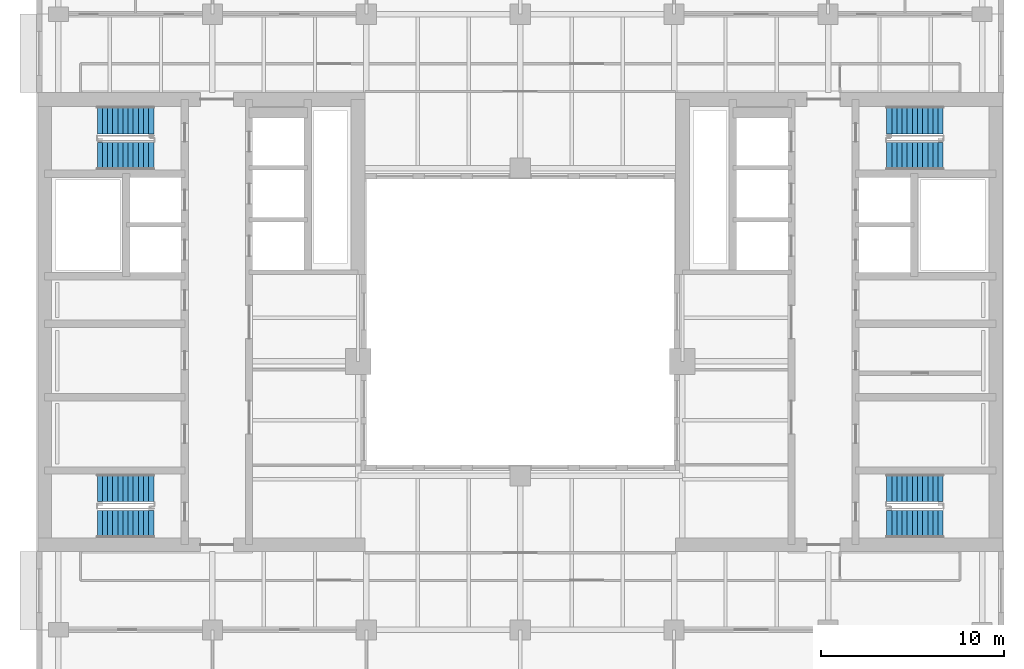
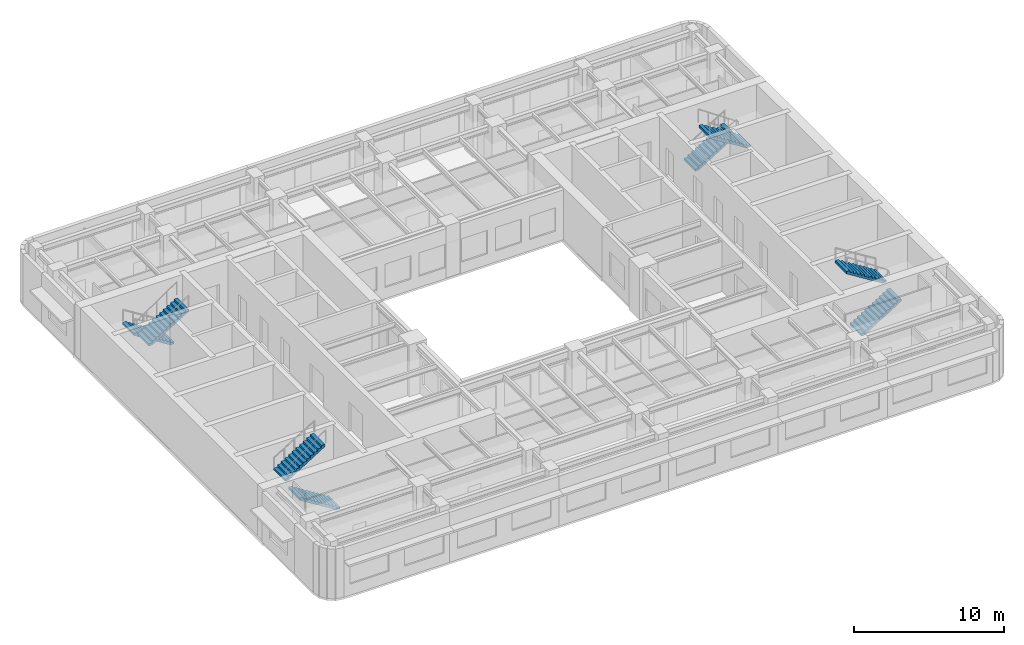
# One storey, part 8 of 11: 8 stair flights, 4 elements without a shape of their own.
"""IFC4 building model written with IfcOpenShell, lengths in metres."""

from ifc_helpers import new_model, si_unit, direction, frame, origin, place, context, subcontext, project, spatial, polyline, outline, extrude, material, type_object, element, aggregate, save


model = new_model("IFC4")

# Units and contexts
model_context = context("Model", 3, precision=1e-05, world=origin(), true_north=direction((0.0, 1.0)))
body_context = subcontext(model_context, "Body", "Model", "MODEL_VIEW")
ifc_project = project(units=[si_unit("LENGTHUNIT", "METRE"), si_unit("AREAUNIT", "SQUARE_METRE"), si_unit("VOLUMEUNIT", "CUBIC_METRE"), si_unit("PLANEANGLEUNIT", "RADIAN"), si_unit("MASSUNIT", "GRAM", prefix="KILO")], contexts=[model_context])

# Site, building, storey
site_placement = place(None, origin())
site = spatial("IfcSite", under=ifc_project, at=site_placement, CompositionType="ELEMENT")
building_placement = place(site_placement, origin())
building = spatial("IfcBuilding", under=site, at=building_placement, Name="Claustro Exchange Tower", CompositionType="ELEMENT")
storey_placement = place(building_placement, frame((0.0, 0.0, 186.0)))
storey = spatial("IfcBuildingStorey", under=building, at=storey_placement, Name="L42", CompositionType="ELEMENT", Elevation=186.0)

# Stair, stair flights
ifc_material_1 = material(Name="Concrete HA-30 (C30/37), precast", Category="concrete")
stair_type = type_object("IfcStairType", Name="ST1 half-turn stair, 24 risers of 175", PredefinedType="HALF_TURN_STAIR", material=ifc_material_1)
stair_1_placement = place(storey_placement, origin())
stair_1 = element("IfcStair", 1, at=stair_1_placement, inside=storey, type_object=stair_type, Name="Stair STWA L42", PredefinedType="HALF_TURN_STAIR")
ifc_material_2 = material(Name="Concrete HA-30 (C30/37), precast", Category="concrete")
stair_flight_type = type_object("IfcStairFlightType", Name="SF12A straight flight, 12 risers of 175, 1500 wide", PredefinedType="STRAIGHT", material=ifc_material_2)
stair_flight_1_placement = place(storey_placement, frame((5.199951171875, 14.175048828125, 0.0), z_axis=(0.0, 0.0, 1.0), x_axis=(-1.0, 0.0, 0.0)))
stair_flight_1 = element("IfcStairFlight", 2, at=stair_flight_1_placement, type_object=stair_flight_type, Name="STWA flight 1", NumberOfRisers=12, NumberOfTreads=11, PredefinedType="STRAIGHT", RiserHeight=0.175, TreadLength=0.28, context=body_context, shape_type="SweptSolid", body=[
    extrude(outline(polyline([(0.0, 0.0), (0.0, 0.175048828125), (0.280029296875, 0.175048828125), (0.280029296875, 0.35009765625), (0.56005859375, 0.35009765625), (0.56005859375, 0.52490234375), (0.840087890625, 0.52490234375), (0.840087890625, 0.699951171875), (1.1201171875, 0.699951171875), (1.1201171875, 0.875), (1.39990234375, 0.875), (1.39990234375, 1.050048828125), (1.679931640625, 1.050048828125), (1.679931640625, 1.22509765625), (1.9599609375, 1.22509765625), (1.9599609375, 1.39990234375), (2.239990234375, 1.39990234375), (2.239990234375, 1.574951171875), (2.52001953125, 1.574951171875), (2.52001953125, 1.75), (2.800048828125, 1.75), (2.800048828125, 1.925048828125), (3.080078125, 1.925048828125), (3.080078125, 2.10009765625), (3.080078125, 1.748291015625), (0.28271484375, 0.0), (0.0, 0.0)])), frame((0.0, 0.75, 0.0), z_axis=(0.0, -1.0, 0.0), x_axis=(1.0, 0.0, 0.0)), (0.0, 0.0, 1.0), 1.5),
])
stair_flight_2_placement = place(storey_placement, frame((2.1201171875, 16.14990234375, 2.10009765625), z_axis=(0.0, 0.0, 1.0), x_axis=(1.0, 0.0, 0.0)))
stair_flight_2 = element("IfcStairFlight", 3, at=stair_flight_2_placement, type_object=stair_flight_type, Name="STWA flight 2", NumberOfRisers=12, NumberOfTreads=11, PredefinedType="STRAIGHT", RiserHeight=0.175, TreadLength=0.28, context=body_context, shape_type="SweptSolid", body=[
    extrude(outline(polyline([(0.0, 0.0), (0.0, 0.175048828125), (0.280029296875, 0.175048828125), (0.280029296875, 0.35009765625), (0.56005859375, 0.35009765625), (0.56005859375, 0.52490234375), (0.840087890625, 0.52490234375), (0.840087890625, 0.699951171875), (1.1201171875, 0.699951171875), (1.1201171875, 0.875), (1.39990234375, 0.875), (1.39990234375, 1.050048828125), (1.679931640625, 1.050048828125), (1.679931640625, 1.22509765625), (1.9599609375, 1.22509765625), (1.9599609375, 1.39990234375), (2.239990234375, 1.39990234375), (2.239990234375, 1.574951171875), (2.52001953125, 1.574951171875), (2.52001953125, 1.75), (2.800048828125, 1.75), (2.800048828125, 1.925048828125), (3.080078125, 1.925048828125), (3.080078125, 2.10009765625), (3.080078125, 1.748291015625), (0.28271484375, 0.0), (0.0, 0.0)])), frame((0.0, 0.75, 0.0), z_axis=(0.0, -1.0, 0.0), x_axis=(1.0, 0.0, 0.0)), (0.0, 0.0, 1.0), 1.5),
])
aggregate(stair_1, [stair_flight_1, stair_flight_2])

stair_2_placement = place(storey_placement, origin())
stair_2 = element("IfcStair", 4, at=stair_2_placement, inside=storey, type_object=stair_type, Name="Stair STWB L42", PredefinedType="HALF_TURN_STAIR")
stair_flight_3_placement = place(storey_placement, frame((5.199951171875, 36.22509765625, 0.0), z_axis=(0.0, 0.0, 1.0), x_axis=(-1.0, 0.0, 0.0)))
stair_flight_3 = element("IfcStairFlight", 5, at=stair_flight_3_placement, type_object=stair_flight_type, Name="STWB flight 1", NumberOfRisers=12, NumberOfTreads=11, PredefinedType="STRAIGHT", RiserHeight=0.175, TreadLength=0.28, context=body_context, shape_type="SweptSolid", body=[
    extrude(outline(polyline([(0.0, 0.0), (0.0, 0.175048828125), (0.280029296875, 0.175048828125), (0.280029296875, 0.35009765625), (0.56005859375, 0.35009765625), (0.56005859375, 0.52490234375), (0.840087890625, 0.52490234375), (0.840087890625, 0.699951171875), (1.1201171875, 0.699951171875), (1.1201171875, 0.875), (1.39990234375, 0.875), (1.39990234375, 1.050048828125), (1.679931640625, 1.050048828125), (1.679931640625, 1.22509765625), (1.9599609375, 1.22509765625), (1.9599609375, 1.39990234375), (2.239990234375, 1.39990234375), (2.239990234375, 1.574951171875), (2.52001953125, 1.574951171875), (2.52001953125, 1.75), (2.800048828125, 1.75), (2.800048828125, 1.925048828125), (3.080078125, 1.925048828125), (3.080078125, 2.10009765625), (3.080078125, 1.748291015625), (0.28271484375, 0.0), (0.0, 0.0)])), frame((0.0, 0.75, 0.0), z_axis=(0.0, -1.0, 0.0), x_axis=(1.0, 0.0, 0.0)), (0.0, 0.0, 1.0), 1.5),
])
stair_flight_4_placement = place(storey_placement, frame((2.1201171875, 34.25, 2.10009765625), z_axis=(0.0, 0.0, 1.0), x_axis=(1.0, 0.0, 0.0)))
stair_flight_4 = element("IfcStairFlight", 6, at=stair_flight_4_placement, type_object=stair_flight_type, Name="STWB flight 2", NumberOfRisers=12, NumberOfTreads=11, PredefinedType="STRAIGHT", RiserHeight=0.175, TreadLength=0.28, context=body_context, shape_type="SweptSolid", body=[
    extrude(outline(polyline([(0.0, 0.0), (0.0, 0.175048828125), (0.280029296875, 0.175048828125), (0.280029296875, 0.35009765625), (0.56005859375, 0.35009765625), (0.56005859375, 0.52490234375), (0.840087890625, 0.52490234375), (0.840087890625, 0.699951171875), (1.1201171875, 0.699951171875), (1.1201171875, 0.875), (1.39990234375, 0.875), (1.39990234375, 1.050048828125), (1.679931640625, 1.050048828125), (1.679931640625, 1.22509765625), (1.9599609375, 1.22509765625), (1.9599609375, 1.39990234375), (2.239990234375, 1.39990234375), (2.239990234375, 1.574951171875), (2.52001953125, 1.574951171875), (2.52001953125, 1.75), (2.800048828125, 1.75), (2.800048828125, 1.925048828125), (3.080078125, 1.925048828125), (3.080078125, 2.10009765625), (3.080078125, 1.748291015625), (0.28271484375, 0.0), (0.0, 0.0)])), frame((0.0, 0.75, 0.0), z_axis=(0.0, -1.0, 0.0), x_axis=(1.0, 0.0, 0.0)), (0.0, 0.0, 1.0), 1.5),
])
aggregate(stair_2, [stair_flight_3, stair_flight_4])

stair_3_placement = place(storey_placement, origin())
stair_3 = element("IfcStair", 7, at=stair_3_placement, inside=storey, type_object=stair_type, Name="Stair STEA L42", PredefinedType="HALF_TURN_STAIR")
stair_flight_5_placement = place(storey_placement, frame((45.199951171875, 14.175048828125, 0.0), z_axis=(0.0, 0.0, 1.0), x_axis=(1.0, 0.0, 0.0)))
stair_flight_5 = element("IfcStairFlight", 8, at=stair_flight_5_placement, type_object=stair_flight_type, Name="STEA flight 1", NumberOfRisers=12, NumberOfTreads=11, PredefinedType="STRAIGHT", RiserHeight=0.175, TreadLength=0.28, context=body_context, shape_type="SweptSolid", body=[
    extrude(outline(polyline([(0.0, 0.0), (0.0, 0.175048828125), (0.280029296875, 0.175048828125), (0.280029296875, 0.35009765625), (0.56005859375, 0.35009765625), (0.56005859375, 0.52490234375), (0.840087890625, 0.52490234375), (0.840087890625, 0.699951171875), (1.1201171875, 0.699951171875), (1.1201171875, 0.875), (1.39990234375, 0.875), (1.39990234375, 1.050048828125), (1.679931640625, 1.050048828125), (1.679931640625, 1.22509765625), (1.9599609375, 1.22509765625), (1.9599609375, 1.39990234375), (2.239990234375, 1.39990234375), (2.239990234375, 1.574951171875), (2.52001953125, 1.574951171875), (2.52001953125, 1.75), (2.800048828125, 1.75), (2.800048828125, 1.925048828125), (3.080078125, 1.925048828125), (3.080078125, 2.10009765625), (3.080078125, 1.748291015625), (0.28271484375, 0.0), (0.0, 0.0)])), frame((0.0, 0.75, 0.0), z_axis=(0.0, -1.0, 0.0), x_axis=(1.0, 0.0, 0.0)), (0.0, 0.0, 1.0), 1.5),
])
stair_flight_6_placement = place(storey_placement, frame((48.280029296875, 16.14990234375, 2.10009765625), z_axis=(0.0, 0.0, 1.0), x_axis=(-1.0, 0.0, 0.0)))
stair_flight_6 = element("IfcStairFlight", 9, at=stair_flight_6_placement, type_object=stair_flight_type, Name="STEA flight 2", NumberOfRisers=12, NumberOfTreads=11, PredefinedType="STRAIGHT", RiserHeight=0.175, TreadLength=0.28, context=body_context, shape_type="SweptSolid", body=[
    extrude(outline(polyline([(0.0, 0.0), (0.0, 0.175048828125), (0.280029296875, 0.175048828125), (0.280029296875, 0.35009765625), (0.56005859375, 0.35009765625), (0.56005859375, 0.52490234375), (0.840087890625, 0.52490234375), (0.840087890625, 0.699951171875), (1.1201171875, 0.699951171875), (1.1201171875, 0.875), (1.39990234375, 0.875), (1.39990234375, 1.050048828125), (1.679931640625, 1.050048828125), (1.679931640625, 1.22509765625), (1.9599609375, 1.22509765625), (1.9599609375, 1.39990234375), (2.239990234375, 1.39990234375), (2.239990234375, 1.574951171875), (2.52001953125, 1.574951171875), (2.52001953125, 1.75), (2.800048828125, 1.75), (2.800048828125, 1.925048828125), (3.080078125, 1.925048828125), (3.080078125, 2.10009765625), (3.080078125, 1.748291015625), (0.28271484375, 0.0), (0.0, 0.0)])), frame((0.0, 0.75, 0.0), z_axis=(0.0, -1.0, 0.0), x_axis=(1.0, 0.0, 0.0)), (0.0, 0.0, 1.0), 1.5),
])
aggregate(stair_3, [stair_flight_5, stair_flight_6])

stair_4_placement = place(storey_placement, origin())
stair_4 = element("IfcStair", 10, at=stair_4_placement, inside=storey, type_object=stair_type, Name="Stair STEB L42", PredefinedType="HALF_TURN_STAIR")
stair_flight_7_placement = place(storey_placement, frame((45.199951171875, 36.22509765625, 0.0), z_axis=(0.0, 0.0, 1.0), x_axis=(1.0, 0.0, 0.0)))
stair_flight_7 = element("IfcStairFlight", 11, at=stair_flight_7_placement, type_object=stair_flight_type, Name="STEB flight 1", NumberOfRisers=12, NumberOfTreads=11, PredefinedType="STRAIGHT", RiserHeight=0.175, TreadLength=0.28, context=body_context, shape_type="SweptSolid", body=[
    extrude(outline(polyline([(0.0, 0.0), (0.0, 0.175048828125), (0.280029296875, 0.175048828125), (0.280029296875, 0.35009765625), (0.56005859375, 0.35009765625), (0.56005859375, 0.52490234375), (0.840087890625, 0.52490234375), (0.840087890625, 0.699951171875), (1.1201171875, 0.699951171875), (1.1201171875, 0.875), (1.39990234375, 0.875), (1.39990234375, 1.050048828125), (1.679931640625, 1.050048828125), (1.679931640625, 1.22509765625), (1.9599609375, 1.22509765625), (1.9599609375, 1.39990234375), (2.239990234375, 1.39990234375), (2.239990234375, 1.574951171875), (2.52001953125, 1.574951171875), (2.52001953125, 1.75), (2.800048828125, 1.75), (2.800048828125, 1.925048828125), (3.080078125, 1.925048828125), (3.080078125, 2.10009765625), (3.080078125, 1.748291015625), (0.28271484375, 0.0), (0.0, 0.0)])), frame((0.0, 0.75, 0.0), z_axis=(0.0, -1.0, 0.0), x_axis=(1.0, 0.0, 0.0)), (0.0, 0.0, 1.0), 1.5),
])
stair_flight_8_placement = place(storey_placement, frame((48.280029296875, 34.25, 2.10009765625), z_axis=(0.0, 0.0, 1.0), x_axis=(-1.0, 0.0, 0.0)))
stair_flight_8 = element("IfcStairFlight", 12, at=stair_flight_8_placement, type_object=stair_flight_type, Name="STEB flight 2", NumberOfRisers=12, NumberOfTreads=11, PredefinedType="STRAIGHT", RiserHeight=0.175, TreadLength=0.28, context=body_context, shape_type="SweptSolid", body=[
    extrude(outline(polyline([(0.0, 0.0), (0.0, 0.175048828125), (0.280029296875, 0.175048828125), (0.280029296875, 0.35009765625), (0.56005859375, 0.35009765625), (0.56005859375, 0.52490234375), (0.840087890625, 0.52490234375), (0.840087890625, 0.699951171875), (1.1201171875, 0.699951171875), (1.1201171875, 0.875), (1.39990234375, 0.875), (1.39990234375, 1.050048828125), (1.679931640625, 1.050048828125), (1.679931640625, 1.22509765625), (1.9599609375, 1.22509765625), (1.9599609375, 1.39990234375), (2.239990234375, 1.39990234375), (2.239990234375, 1.574951171875), (2.52001953125, 1.574951171875), (2.52001953125, 1.75), (2.800048828125, 1.75), (2.800048828125, 1.925048828125), (3.080078125, 1.925048828125), (3.080078125, 2.10009765625), (3.080078125, 1.748291015625), (0.28271484375, 0.0), (0.0, 0.0)])), frame((0.0, 0.75, 0.0), z_axis=(0.0, -1.0, 0.0), x_axis=(1.0, 0.0, 0.0)), (0.0, 0.0, 1.0), 1.5),
])
aggregate(stair_4, [stair_flight_7, stair_flight_8])

save(model, "model.ifc")
